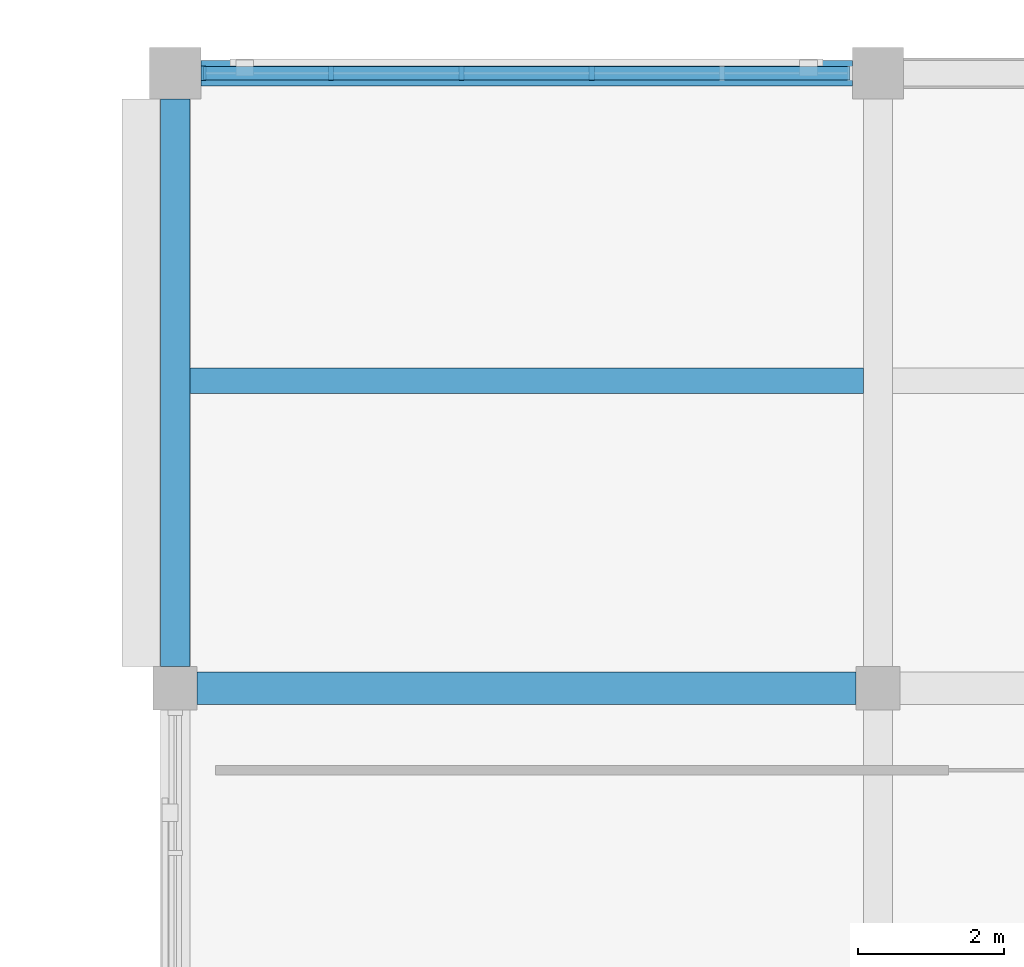
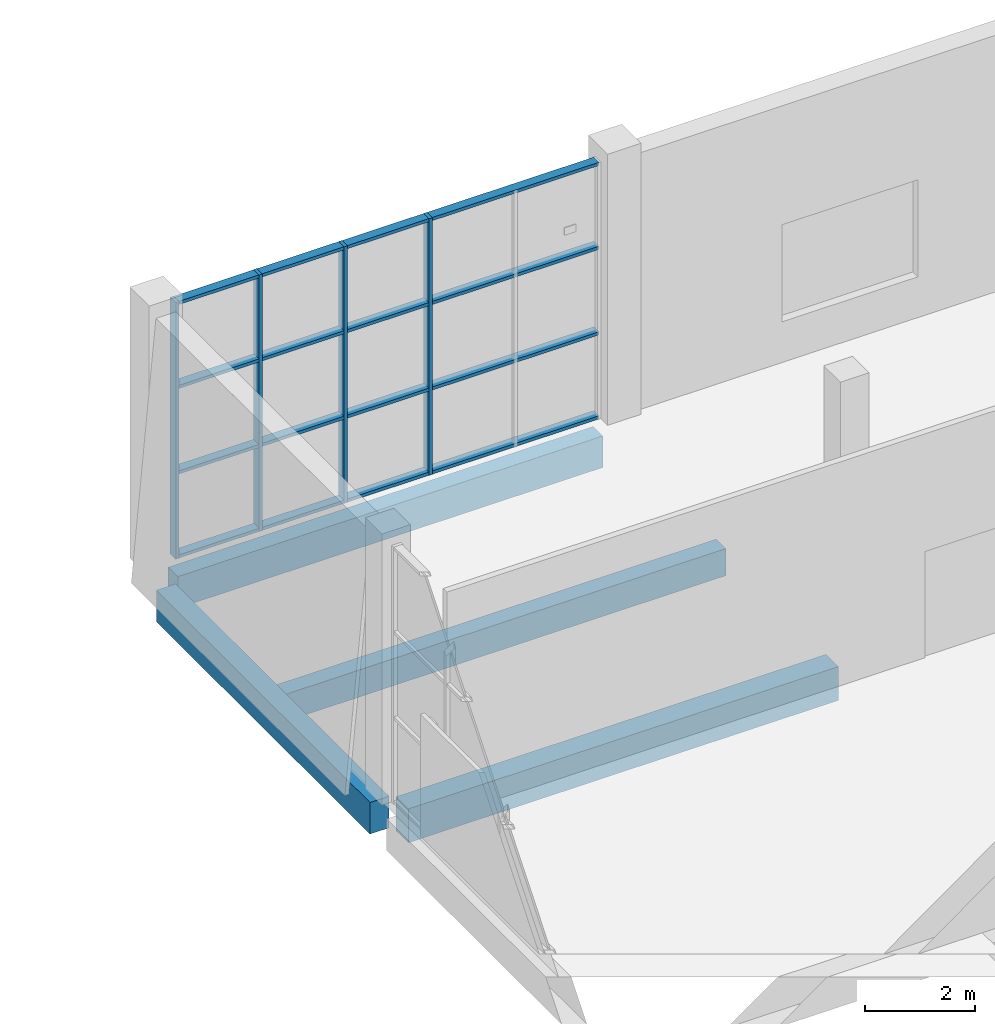
# One storey, part 28 of 84: 8 members, 4 beams, 1 element without a shape of its own.
"""IFC4 building model written with IfcOpenShell, lengths in metres."""

from ifc_helpers import new_model, si_unit, direction, frame, origin, origin_2d, place, context, subcontext, project, spatial, rectangle, extrude, material, material_profile, profile_set, type_object, element, aggregate, save


model = new_model("IFC4")

# Units and contexts
model_context = context("Model", 3, precision=1e-05, world=origin(), true_north=direction((0.0, 1.0)))
body_context = subcontext(model_context, "Body", "Model", "MODEL_VIEW")
ifc_project = project(units=[si_unit("LENGTHUNIT", "METRE"), si_unit("AREAUNIT", "SQUARE_METRE"), si_unit("VOLUMEUNIT", "CUBIC_METRE"), si_unit("PLANEANGLEUNIT", "RADIAN"), si_unit("MASSUNIT", "GRAM", prefix="KILO")], contexts=[model_context])

# Site, building, storey
site_placement = place(None, origin())
site = spatial("IfcSite", under=ifc_project, at=site_placement, CompositionType="ELEMENT")
building_placement = place(site_placement, origin())
building = spatial("IfcBuilding", under=site, at=building_placement, Name="Shalvenor Court Art Gallery", CompositionType="ELEMENT")
storey_placement = place(building_placement, origin())
storey = spatial("IfcBuildingStorey", under=building, at=storey_placement, Name="L00", CompositionType="ELEMENT", Elevation=0.0)

# Beams
ifc_material_1 = material(Name="Concrete C40/50", Category="concrete")
ifc_material_profile_1 = material_profile(ifc_material_1, rectangle(XDim=0.449951171875, YDim=0.75, at=origin_2d()), Name="RC 450x750")
ifc_profile_set_1 = profile_set([ifc_material_profile_1], Name="Concrete C40/50")
beam_type_1 = type_object("IfcBeamType", Name="B-04", PredefinedType="BEAM", material=ifc_profile_set_1)
beam_1_placement = place(storey_placement, frame((57.89990234375, 114.0, -0.715087890625), z_axis=(1.0, 0.0, 0.0), x_axis=(0.0, 1.0, 0.0)))
element("IfcBeam", 1, at=beam_1_placement, inside=storey, type_object=beam_type_1, Name="L00 Girder BM-L00-B-04-0262", PredefinedType="BEAM", context=body_context, shape_type="SweptSolid", body=[
    extrude(rectangle(XDim=0.449951171875, YDim=0.75, at=origin_2d()), origin(), (0.0, 0.0, 1.0), 9.0),
])
ifc_material_2 = material(Name="Concrete C40/50", Category="concrete")
ifc_material_profile_2 = material_profile(ifc_material_2, rectangle(XDim=0.39990234375, YDim=0.699951171875, at=origin_2d()), Name="RC 400x700")
ifc_profile_set_2 = profile_set([ifc_material_profile_2], Name="Concrete C40/50")
beam_type_2 = type_object("IfcBeamType", Name="B-05", PredefinedType="BEAM", material=ifc_profile_set_2)
beam_2_placement = place(storey_placement, frame((57.60009765625, 114.300048828125, -0.68994140625), z_axis=(0.0, 1.0, 0.0), x_axis=(-1.0, 0.0, 0.0)))
element("IfcBeam", 2, at=beam_2_placement, inside=storey, type_object=beam_type_2, Name="L00 Girder BM-L00-B-05-0050", PredefinedType="BEAM", context=body_context, shape_type="SweptSolid", body=[
    extrude(rectangle(XDim=0.39990234375, YDim=0.699951171875, at=origin_2d()), origin(), (0.0, 0.0, 1.0), 7.75),
])

# Curtain wall, members
ifc_material_3 = material(Name="Anodised aluminium and low-iron glass curtain wall", Category="aluminium")
curtain_wall_type = type_object("IfcCurtainWallType", Name="CW-5x3-89-57-242", PredefinedType="USERDEFINED", material=ifc_material_3)
curtain_wall_placement = place(storey_placement, origin())
curtain_wall = element("IfcCurtainWall", 3, at=curtain_wall_placement, inside=storey, type_object=curtain_wall_type, Name="L00 V2 Curtain Wall CW-L00-053", ObjectType="CURTAIN WALL", PredefinedType="USERDEFINED")
ifc_material_4 = material(Name="Anodised aluminium mullion", Category="aluminium")
ifc_material_profile_3 = material_profile(ifc_material_4, rectangle(XDim=0.070068359375, YDim=0.199951171875, at=origin_2d()), Name="CWM-02")
ifc_profile_set_3 = profile_set([ifc_material_profile_3], Name="Anodised aluminium mullion")
member_type_1 = type_object("IfcMemberType", Name="CWM-02", PredefinedType="MULLION", material=ifc_profile_set_3)
member_1_placement = place(storey_placement, frame((57.985107421875, 122.39990234375, 0.0), z_axis=(0.0, 0.0, 1.0), x_axis=(1.0, 0.0, 0.0)))
member_1 = element("IfcMember", 4, at=member_1_placement, type_object=member_type_1, Name="CW-5x3-89-57-242 mullion 1", PredefinedType="MULLION", context=body_context, shape_type="SweptSolid", body=[
    extrude(rectangle(XDim=0.070068359375, YDim=0.199951171875, at=origin_2d()), origin(), (0.0, 0.0, 1.0), 5.679931640625),
])
member_2_placement = place(storey_placement, frame((59.72998046875, 122.39990234375, 0.0), z_axis=(0.0, 0.0, 1.0), x_axis=(1.0, 0.0, 0.0)))
member_2 = element("IfcMember", 5, at=member_2_placement, type_object=member_type_1, Name="CW-5x3-89-57-242 mullion 2", PredefinedType="MULLION", context=body_context, shape_type="SweptSolid", body=[
    extrude(rectangle(XDim=0.070068359375, YDim=0.199951171875, at=origin_2d()), origin(), (0.0, 0.0, 1.0), 5.679931640625),
])
member_3_placement = place(storey_placement, frame((61.510009765625, 122.39990234375, 0.0), z_axis=(0.0, 0.0, 1.0), x_axis=(1.0, 0.0, 0.0)))
member_3 = element("IfcMember", 6, at=member_3_placement, type_object=member_type_1, Name="CW-5x3-89-57-242 mullion 3", PredefinedType="MULLION", context=body_context, shape_type="SweptSolid", body=[
    extrude(rectangle(XDim=0.070068359375, YDim=0.199951171875, at=origin_2d()), origin(), (0.0, 0.0, 1.0), 5.679931640625),
])
member_4_placement = place(storey_placement, frame((63.2900390625, 122.39990234375, 0.0), z_axis=(0.0, 0.0, 1.0), x_axis=(1.0, 0.0, 0.0)))
member_4 = element("IfcMember", 7, at=member_4_placement, type_object=member_type_1, Name="CW-5x3-89-57-242 mullion 4", PredefinedType="MULLION", context=body_context, shape_type="SweptSolid", body=[
    extrude(rectangle(XDim=0.070068359375, YDim=0.199951171875, at=origin_2d()), origin(), (0.0, 0.0, 1.0), 5.679931640625),
])
ifc_material_5 = material(Name="Anodised aluminium transom", Category="aluminium")
ifc_material_profile_4 = material_profile(ifc_material_5, rectangle(XDim=0.18994140625, YDim=0.070068359375, at=origin_2d()), Name="CWT-04")
ifc_profile_set_4 = profile_set([ifc_material_profile_4], Name="Anodised aluminium transom")
member_type_2 = type_object("IfcMemberType", Name="CWT-04", PredefinedType="USERDEFINED", material=ifc_profile_set_4)
member_5_placement = place(storey_placement, frame((57.985107421875, 122.39990234375, 0.034912109375), z_axis=(1.0, 0.0, 0.0), x_axis=(0.0, 1.0, 0.0)))
member_5 = element("IfcMember", 8, at=member_5_placement, type_object=member_type_2, Name="CW-5x3-89-57-242 transom 1", ObjectType="TRANSOM", PredefinedType="USERDEFINED", context=body_context, shape_type="SweptSolid", body=[
    extrude(rectangle(XDim=0.18994140625, YDim=0.070068359375, at=origin_2d()), origin(), (0.0, 0.0, 1.0), 8.829833984375),
])
member_6_placement = place(storey_placement, frame((57.985107421875, 122.39990234375, 1.893310546875), z_axis=(1.0, 0.0, 0.0), x_axis=(0.0, 1.0, 0.0)))
member_6 = element("IfcMember", 9, at=member_6_placement, type_object=member_type_2, Name="CW-5x3-89-57-242 transom 2", ObjectType="TRANSOM", PredefinedType="USERDEFINED", context=body_context, shape_type="SweptSolid", body=[
    extrude(rectangle(XDim=0.18994140625, YDim=0.070068359375, at=origin_2d()), origin(), (0.0, 0.0, 1.0), 8.829833984375),
])
member_7_placement = place(storey_placement, frame((57.985107421875, 122.39990234375, 3.78662109375), z_axis=(1.0, 0.0, 0.0), x_axis=(0.0, 1.0, 0.0)))
member_7 = element("IfcMember", 10, at=member_7_placement, type_object=member_type_2, Name="CW-5x3-89-57-242 transom 3", ObjectType="TRANSOM", PredefinedType="USERDEFINED", context=body_context, shape_type="SweptSolid", body=[
    extrude(rectangle(XDim=0.18994140625, YDim=0.070068359375, at=origin_2d()), origin(), (0.0, 0.0, 1.0), 8.829833984375),
])
member_8_placement = place(storey_placement, frame((57.985107421875, 122.39990234375, 5.64501953125), z_axis=(1.0, 0.0, 0.0), x_axis=(0.0, 1.0, 0.0)))
member_8 = element("IfcMember", 11, at=member_8_placement, type_object=member_type_2, Name="CW-5x3-89-57-242 transom 4", ObjectType="TRANSOM", PredefinedType="USERDEFINED", context=body_context, shape_type="SweptSolid", body=[
    extrude(rectangle(XDim=0.18994140625, YDim=0.070068359375, at=origin_2d()), origin(), (0.0, 0.0, 1.0), 8.829833984375),
])
aggregate(curtain_wall, [member_1, member_2, member_3, member_4, member_5, member_6, member_7, member_8])

# Beams
ifc_material_6 = material(Name="Concrete C40/50", Category="concrete")
ifc_material_profile_5 = material_profile(ifc_material_6, rectangle(XDim=0.35009765625, YDim=0.60009765625, at=origin_2d()), Name="RC 350x600")
ifc_profile_set_5 = profile_set([ifc_material_profile_5], Name="Concrete C40/50")
beam_type_3 = type_object("IfcBeamType", Name="J-01", PredefinedType="JOIST", material=ifc_profile_set_5)
beam_3_placement = place(storey_placement, frame((57.800048828125, 118.199951171875, -0.639892578125), z_axis=(1.0, 0.0, 0.0), x_axis=(0.0, 1.0, 0.0)))
element("IfcBeam", 12, at=beam_3_placement, inside=storey, type_object=beam_type_3, Name="L00 Secondary Beam JST-L00-J-01-0307", PredefinedType="JOIST", context=body_context, shape_type="SweptSolid", body=[
    extrude(rectangle(XDim=0.35009765625, YDim=0.60009765625, at=origin_2d()), origin(), (0.0, 0.0, 1.0), 9.199951171875),
])
ifc_material_7 = material(Name="Concrete C40/50", Category="concrete")
ifc_material_profile_6 = material_profile(ifc_material_7, rectangle(XDim=0.35009765625, YDim=0.699951171875, at=origin_2d()), Name="RC 350x700")
ifc_profile_set_6 = profile_set([ifc_material_profile_6], Name="Concrete C40/50")
beam_type_4 = type_object("IfcBeamType", Name="SP-01", PredefinedType="SPANDREL", material=ifc_profile_set_6)
beam_4_placement = place(storey_placement, frame((57.949951171875, 122.39990234375, -0.68994140625), z_axis=(1.0, 0.0, 0.0), x_axis=(0.0, 1.0, 0.0)))
element("IfcBeam", 13, at=beam_4_placement, inside=storey, type_object=beam_type_4, Name="L00 Spandrel Girder BM-L00-SP-01-0273", PredefinedType="SPANDREL", context=body_context, shape_type="SweptSolid", body=[
    extrude(rectangle(XDim=0.35009765625, YDim=0.699951171875, at=origin_2d()), origin(), (0.0, 0.0, 1.0), 8.900146484375),
])

save(model, "model.ifc")
